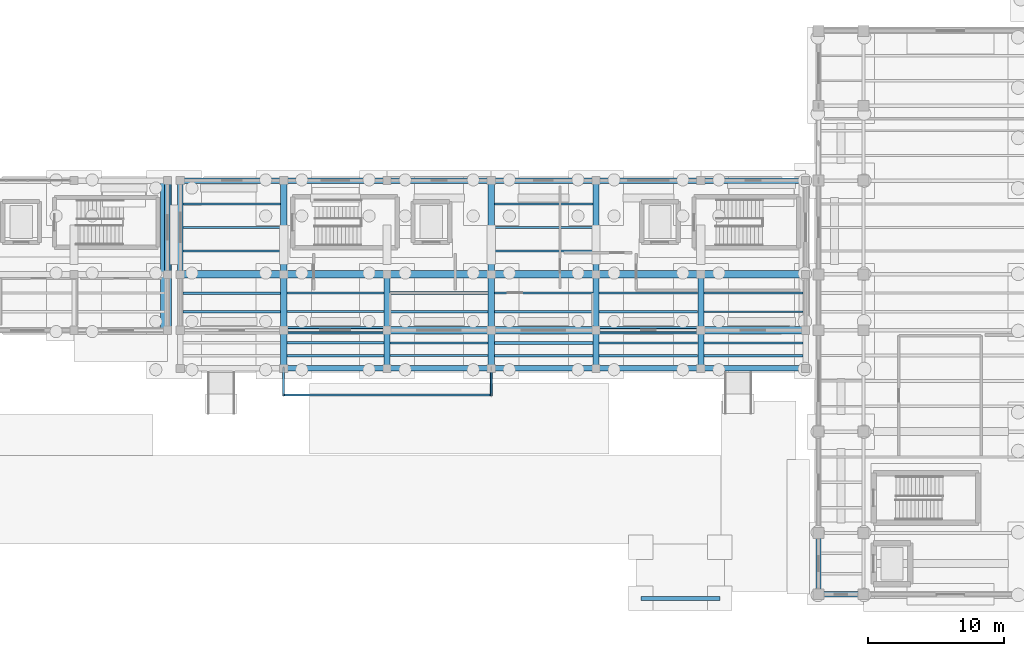
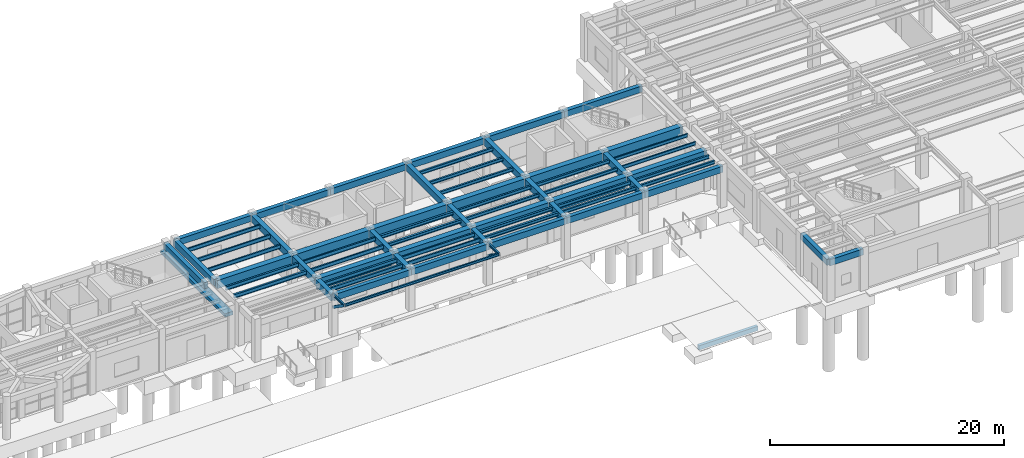
# One storey, part 13 of 41: 74 beams, 2 members.
"""IFC4 building model written with IfcOpenShell, lengths in metres."""

import ifcopenshell
import ifcopenshell.guid

model = None  # the IFC model being written
_history = None  # IfcOwnerHistory: only IFC2X3 demands one
_inside = {}  # id of a spatial element -> (the spatial element, [elements in it])
_under = {}  # id of a project, library or spatial element -> (it, [spatial elements below it])
_declared = {}  # id of a project -> (the project, [libraries it declares])
_typed = {}  # id of a type object -> (the type object, [elements of that type])
_made_of = {}  # id of a material, layer set ... -> (it, [elements and type objects made of it])


def new_model(schema):
    """Start an empty IFC model of exactly this schema.

    Asked for "IFC4X3", IfcOpenShell would pick the latest addendum, in which some entities
    have other attributes; the version numbers below select the first issue.
    IFC2X3 requires an IfcOwnerHistory on every rooted entity: one is made here for all.
    """
    global model, _history
    if schema == "IFC4X3":
        model = ifcopenshell.file(schema_version=(4, 3, 0, 0))
    else:
        model = ifcopenshell.file(schema=schema)
    _inside.clear()
    _under.clear()
    _declared.clear()
    _typed.clear()
    _made_of.clear()
    _history = None
    if model.schema == "IFC2X3":
        org = make("IfcOrganization", Name="unknown")
        user = make(
            "IfcPersonAndOrganization",
            ThePerson=make("IfcPerson", FamilyName="unknown"),
            TheOrganization=org,
        )
        app = make(
            "IfcApplication",
            ApplicationDeveloper=org,
            Version="unknown",
            ApplicationFullName="unknown",
            ApplicationIdentifier="unknown",
        )
        _history = make(
            "IfcOwnerHistory",
            OwningUser=user,
            OwningApplication=app,
            ChangeAction="ADDED",
            CreationDate=0,
        )
    return model


def make(cls, **values):
    """One entity of the class cls with the attributes given. An attribute that is None is left unset."""
    return model.create_entity(
        cls, **{name: value for name, value in values.items() if value is not None}
    )


def rooted(cls, **values):
    """An entity with a GlobalId (a new one), such as an element, a storey or a relation."""
    return make(cls, GlobalId=ifcopenshell.guid.new(), OwnerHistory=_history, **values)


def si_unit(unit_type, name, prefix=None):
    """IfcSIUnit, for example si_unit("LENGTHUNIT", "METRE", prefix="MILLI")."""
    return make("IfcSIUnit", UnitType=unit_type, Prefix=prefix, Name=name)


def assignment(units):
    """IfcUnitAssignment: the units of a project."""
    return None if units is None else make("IfcUnitAssignment", Units=units)


def point(xyz):
    """IfcCartesianPoint."""
    return None if xyz is None else make("IfcCartesianPoint", Coordinates=xyz)


def direction(xyz):
    """IfcDirection."""
    return None if xyz is None else make("IfcDirection", DirectionRatios=xyz)


def frame(location, z_axis=None, x_axis=None):
    """IfcAxis2Placement3D, a coordinate frame: its origin and axes. An axis left out is left unset."""
    return make(
        "IfcAxis2Placement3D",
        Location=point(location),
        Axis=direction(z_axis),
        RefDirection=direction(x_axis),
    )


def frame_2d(location, x_axis=None):
    """IfcAxis2Placement2D, a coordinate frame in the plane: its origin and x axis."""
    return make(
        "IfcAxis2Placement2D", Location=point(location), RefDirection=direction(x_axis)
    )


def origin():
    """The frame at (0, 0, 0) with its axes left unset."""
    return frame((0.0, 0.0, 0.0))


def origin_2d():
    """The frame at (0, 0) in the plane with its x axis left unset."""
    return frame_2d((0.0, 0.0))


def place(relative_to, where):
    """IfcLocalPlacement: puts the frame where relative to a parent placement (None: the world)."""
    return make(
        "IfcLocalPlacement", PlacementRelTo=relative_to, RelativePlacement=where
    )


def context(
    kind, dimensions, precision=None, world=None, true_north=None, identifier=None
):
    """IfcGeometricRepresentationContext, for example the 3D "Model" context."""
    return make(
        "IfcGeometricRepresentationContext",
        ContextIdentifier=identifier,
        ContextType=kind,
        CoordinateSpaceDimension=dimensions,
        Precision=precision,
        WorldCoordinateSystem=world,
        TrueNorth=true_north,
    )


def subcontext(parent, identifier, kind, view, scale=None):
    """IfcGeometricRepresentationSubContext, for example "Body" below "Model"."""
    return make(
        "IfcGeometricRepresentationSubContext",
        ContextIdentifier=identifier,
        ContextType=kind,
        ParentContext=parent,
        TargetScale=scale,
        TargetView=view,
    )


def project(units=None, contexts=None):
    """IfcProject with its units and contexts."""
    return rooted(
        "IfcProject",
        Name="project",
        RepresentationContexts=contexts,
        UnitsInContext=assignment(units),
    )


def spatial(cls, under=None, at=None, **own):
    """A site, building, storey or space (cls), placed at a placement, below another one or the project."""
    s = rooted(cls, ObjectPlacement=at, **own)
    if under is not None:
        _under.setdefault(under.id(), (under, []))[1].append(s)
    return s


def profile(cls, at=None, kind="AREA", **sizes):
    """A parametric profile (cls). Its sizes go by their IFC names, for example OverallWidth=200.0."""
    return make(cls, ProfileType=kind, Position=at, **sizes)


def rectangle(**sizes):
    """IfcRectangleProfileDef."""
    return profile("IfcRectangleProfileDef", **sizes)


def hollow_rectangle(**sizes):
    """IfcRectangleHollowProfileDef."""
    return profile("IfcRectangleHollowProfileDef", **sizes)


def i_section(**sizes):
    """IfcIShapeProfileDef."""
    return profile("IfcIShapeProfileDef", **sizes)


def extrude(swept, where, along, depth):
    """IfcExtrudedAreaSolid: the profile swept, set in the frame where, extruded along a direction by depth."""
    return make(
        "IfcExtrudedAreaSolid",
        SweptArea=swept,
        Position=where,
        ExtrudedDirection=direction(along),
        Depth=depth,
    )


def shape(context_of_items, identifier, shape_type, items):
    """IfcShapeRepresentation: the items that make up one representation, for example the "Body"."""
    return make(
        "IfcShapeRepresentation",
        ContextOfItems=context_of_items,
        RepresentationIdentifier=identifier,
        RepresentationType=shape_type,
        Items=items,
    )


def material(Name=None, Category=None):
    """IfcMaterial."""
    return make("IfcMaterial", Name=Name, Category=Category)


def material_profile(
    of_material, cross_section, Name=None, Category=None, Priority=None
):
    """IfcMaterialProfile: a cross section and its material."""
    return make(
        "IfcMaterialProfile",
        Name=Name,
        Material=of_material,
        Profile=cross_section,
        Priority=Priority,
        Category=Category,
    )


def profile_set(profiles, Name=None, composite=None):
    """IfcMaterialProfileSet."""
    return make(
        "IfcMaterialProfileSet",
        Name=Name,
        MaterialProfiles=profiles,
        CompositeProfile=composite,
    )


def made_of(thing, what):
    """Note that an element or type object is made of a material, layer set ...; save() writes the relation."""
    if what is not None:
        _made_of.setdefault(what.id(), (what, []))[1].append(thing)
    return thing


def type_object(cls, material=None, **own):
    """A type object (cls), such as IfcWallType, which elements share."""
    return made_of(rooted(cls, **own), material)


def element(
    cls,
    number,
    at=None,
    inside=None,
    cuts=None,
    type_object=None,
    material=None,
    context=None,
    identifier="Body",
    shape_type=None,
    held_by="IfcProductDefinitionShape",
    body=None,
    shapes=None,
    **own,
):
    """One element of the class cls, such as IfcWall. Its Tag is "e" and its number.

    at: its placement. inside: the storey or other place that contains it. cuts: it is an
    opening in that element (IfcRelVoidsElement). A single representation is given by context,
    identifier, shape_type and body (its items); several are given by shapes. held_by: the class
    of the entity that holds the representations. save() writes the other relations.
    """
    e = rooted(cls, Tag="e%d" % number, ObjectPlacement=at, **own)
    if body is not None:
        shapes = [shape(context, identifier, shape_type, body)]
    if shapes is not None:
        e.Representation = make(held_by, Representations=shapes)
    if inside is not None:
        _inside.setdefault(inside.id(), (inside, []))[1].append(e)
    if cuts is not None:
        rooted(
            "IfcRelVoidsElement", RelatingBuildingElement=cuts, RelatedOpeningElement=e
        )
    if type_object is not None:
        _typed.setdefault(type_object.id(), (type_object, []))[1].append(e)
    return made_of(e, material)


def aggregate(whole, parts):
    """IfcRelAggregates: a whole, such as a stair, and the parts it consists of."""
    return rooted("IfcRelAggregates", RelatingObject=whole, RelatedObjects=parts)


def save(model, path):
    """Write the relations noted so far, then the file.

    IfcRelAggregates (storeys below a building ...), IfcRelContainedInSpatialStructure (elements
    in a storey), IfcRelDefinesByType, IfcRelAssociatesMaterial and IfcRelDeclares: one each for
    every whole, place, type object, material and project.
    """
    for whole, parts in _under.values():
        aggregate(whole, parts)
    for where, things in _inside.values():
        rooted(
            "IfcRelContainedInSpatialStructure",
            RelatedElements=things,
            RelatingStructure=where,
        )
    for kind, things in _typed.values():
        rooted("IfcRelDefinesByType", RelatedObjects=things, RelatingType=kind)
    for what, things in _made_of.values():
        rooted("IfcRelAssociatesMaterial", RelatedObjects=things, RelatingMaterial=what)
    for by, libraries in _declared.values():
        rooted("IfcRelDeclares", RelatingContext=by, RelatedDefinitions=libraries)
    model.write(path)


model = new_model("IFC4")

# Units and contexts
model_context = context("Model", 3, precision=1e-05, world=origin(), true_north=direction((0.0, 1.0)))
body_context = subcontext(model_context, "Body", "Model", "MODEL_VIEW")
ifc_project = project(units=[si_unit("LENGTHUNIT", "METRE"), si_unit("AREAUNIT", "SQUARE_METRE"), si_unit("VOLUMEUNIT", "CUBIC_METRE"), si_unit("PLANEANGLEUNIT", "RADIAN"), si_unit("MASSUNIT", "GRAM", prefix="KILO")], contexts=[model_context])

# Site, building, storey
site_placement = place(None, origin())
site = spatial("IfcSite", under=ifc_project, at=site_placement, CompositionType="ELEMENT")
building_placement = place(site_placement, origin())
building = spatial("IfcBuilding", under=site, at=building_placement, Name="Candilejo Ridge Gondola Terminal", CompositionType="ELEMENT")
storey_placement = place(building_placement, origin())
storey = spatial("IfcBuildingStorey", under=building, at=storey_placement, Name="L00", CompositionType="ELEMENT", Elevation=0.0)

# Beams
ifc_material_1 = material(Name="Concrete f'c 35 MPa (C35/45)", Category="concrete")
ifc_material_profile_1 = material_profile(ifc_material_1, rectangle(XDim=0.300048828125, YDim=0.449951171875, at=origin_2d()))
ifc_profile_set_1 = profile_set([ifc_material_profile_1], Name="Concrete f'c 35 MPa (C35/45)")
beam_type_1 = type_object("IfcBeamType", Name="STR-BM-RC300X450", PredefinedType="BEAM", material=ifc_profile_set_1)
beam_1_placement = place(storey_placement, frame((120.85009765625, 6.0, -0.2548828125), z_axis=(1.0, 0.0, 0.0), x_axis=(0.0, 1.0, 0.0)))
element("IfcBeam", 1, at=beam_1_placement, inside=storey, type_object=beam_type_1, Name="Walkway edge beam SE-TAB", PredefinedType="BEAM", context=body_context, shape_type="SweptSolid", body=[
    extrude(rectangle(XDim=0.300048828125, YDim=0.449951171875, at=origin_2d()), origin(), (0.0, 0.0, 1.0), 5.7998046875),
])
ifc_material_2 = material(Name="Concrete f'c 35 MPa (C35/45)", Category="concrete")
ifc_material_profile_2 = material_profile(ifc_material_2, rectangle(XDim=0.449951171875, YDim=0.699951171875, at=origin_2d()))
ifc_profile_set_2 = profile_set([ifc_material_profile_2], Name="Concrete f'c 35 MPa (C35/45)")
beam_type_2 = type_object("IfcBeamType", Name="STR-BM-RC450X700", PredefinedType="BEAM", material=ifc_profile_set_2)
beam_2_placement = place(storey_placement, frame((94.60009765625, 22.89990234375, 3.909912109375), z_axis=(0.0, 1.0, 0.0), x_axis=(-1.0, 0.0, 0.0)))
element("IfcBeam", 2, at=beam_2_placement, inside=storey, type_object=beam_type_2, Name="Beam Y V3 L00 Y04-Y05@X15", PredefinedType="BEAM", context=body_context, shape_type="SweptSolid", body=[
    extrude(rectangle(XDim=0.449951171875, YDim=0.699951171875, at=origin_2d()), origin(), (0.0, 0.0, 1.0), 2.800048828125),
])
beam_3_placement = place(storey_placement, frame((94.60009765625, 25.699951171875, 3.909912109375), z_axis=(0.0, 1.0, 0.0), x_axis=(-1.0, 0.0, 0.0)))
element("IfcBeam", 3, at=beam_3_placement, inside=storey, type_object=beam_type_2, Name="Beam Y V3 L00 Y05-Y06@X15", PredefinedType="BEAM", context=body_context, shape_type="SweptSolid", body=[
    extrude(rectangle(XDim=0.449951171875, YDim=0.699951171875, at=origin_2d()), origin(), (0.0, 0.0, 1.0), 4.10009765625),
])
beam_4_placement = place(storey_placement, frame((94.60009765625, 29.800048828125, 3.909912109375), z_axis=(0.0, 1.0, 0.0), x_axis=(-1.0, 0.0, 0.0)))
element("IfcBeam", 4, at=beam_4_placement, inside=storey, type_object=beam_type_2, Name="Beam Y V3 L00 Y06-Y07@X15", PredefinedType="BEAM", context=body_context, shape_type="SweptSolid", body=[
    extrude(rectangle(XDim=0.449951171875, YDim=0.699951171875, at=origin_2d()), origin(), (0.0, 0.0, 1.0), 6.89990234375),
])
beam_5_placement = place(storey_placement, frame((102.199951171875, 22.89990234375, 3.909912109375), z_axis=(0.0, 1.0, 0.0), x_axis=(-1.0, 0.0, 0.0)))
element("IfcBeam", 5, at=beam_5_placement, inside=storey, type_object=beam_type_2, Name="Beam Y V3 L00 Y04-Y05@X16", PredefinedType="BEAM", context=body_context, shape_type="SweptSolid", body=[
    extrude(rectangle(XDim=0.449951171875, YDim=0.699951171875, at=origin_2d()), origin(), (0.0, 0.0, 1.0), 2.800048828125),
])
beam_6_placement = place(storey_placement, frame((102.199951171875, 25.699951171875, 3.909912109375), z_axis=(0.0, 1.0, 0.0), x_axis=(-1.0, 0.0, 0.0)))
element("IfcBeam", 6, at=beam_6_placement, inside=storey, type_object=beam_type_2, Name="Beam Y V3 L00 Y05-Y06@X16", PredefinedType="BEAM", context=body_context, shape_type="SweptSolid", body=[
    extrude(rectangle(XDim=0.449951171875, YDim=0.699951171875, at=origin_2d()), origin(), (0.0, 0.0, 1.0), 4.10009765625),
])
beam_7_placement = place(storey_placement, frame((109.85009765625, 22.89990234375, 3.909912109375), z_axis=(0.0, 1.0, 0.0), x_axis=(-1.0, 0.0, 0.0)))
element("IfcBeam", 7, at=beam_7_placement, inside=storey, type_object=beam_type_2, Name="Beam Y V3 L00 Y04-Y05@X17", PredefinedType="BEAM", context=body_context, shape_type="SweptSolid", body=[
    extrude(rectangle(XDim=0.449951171875, YDim=0.699951171875, at=origin_2d()), origin(), (0.0, 0.0, 1.0), 2.800048828125),
])
beam_8_placement = place(storey_placement, frame((109.85009765625, 25.699951171875, 3.909912109375), z_axis=(0.0, 1.0, 0.0), x_axis=(-1.0, 0.0, 0.0)))
element("IfcBeam", 8, at=beam_8_placement, inside=storey, type_object=beam_type_2, Name="Beam Y V3 L00 Y05-Y06@X17", PredefinedType="BEAM", context=body_context, shape_type="SweptSolid", body=[
    extrude(rectangle(XDim=0.449951171875, YDim=0.699951171875, at=origin_2d()), origin(), (0.0, 0.0, 1.0), 4.10009765625),
])
beam_9_placement = place(storey_placement, frame((109.85009765625, 29.800048828125, 3.909912109375), z_axis=(0.0, 1.0, 0.0), x_axis=(-1.0, 0.0, 0.0)))
element("IfcBeam", 9, at=beam_9_placement, inside=storey, type_object=beam_type_2, Name="Beam Y V3 L00 Y06-Y07@X17", PredefinedType="BEAM", context=body_context, shape_type="SweptSolid", body=[
    extrude(rectangle(XDim=0.449951171875, YDim=0.699951171875, at=origin_2d()), origin(), (0.0, 0.0, 1.0), 6.89990234375),
])
beam_10_placement = place(storey_placement, frame((117.550048828125, 22.89990234375, 3.909912109375), z_axis=(0.0, 1.0, 0.0), x_axis=(-1.0, 0.0, 0.0)))
element("IfcBeam", 10, at=beam_10_placement, inside=storey, type_object=beam_type_2, Name="Beam Y V3 L00 Y04-Y05@X18", PredefinedType="BEAM", context=body_context, shape_type="SweptSolid", body=[
    extrude(rectangle(XDim=0.449951171875, YDim=0.699951171875, at=origin_2d()), origin(), (0.0, 0.0, 1.0), 2.800048828125),
])
beam_11_placement = place(storey_placement, frame((117.550048828125, 25.699951171875, 3.909912109375), z_axis=(0.0, 1.0, 0.0), x_axis=(-1.0, 0.0, 0.0)))
element("IfcBeam", 11, at=beam_11_placement, inside=storey, type_object=beam_type_2, Name="Beam Y V3 L00 Y05-Y06@X18", PredefinedType="BEAM", context=body_context, shape_type="SweptSolid", body=[
    extrude(rectangle(XDim=0.449951171875, YDim=0.699951171875, at=origin_2d()), origin(), (0.0, 0.0, 1.0), 4.10009765625),
])
beam_12_placement = place(storey_placement, frame((117.550048828125, 29.800048828125, 3.909912109375), z_axis=(0.0, 1.0, 0.0), x_axis=(-1.0, 0.0, 0.0)))
element("IfcBeam", 12, at=beam_12_placement, inside=storey, type_object=beam_type_2, Name="Beam Y V3 L00 Y06-Y07@X18", PredefinedType="BEAM", context=body_context, shape_type="SweptSolid", body=[
    extrude(rectangle(XDim=0.449951171875, YDim=0.699951171875, at=origin_2d()), origin(), (0.0, 0.0, 1.0), 6.89990234375),
])
beam_13_placement = place(storey_placement, frame((125.25, 22.89990234375, 3.909912109375), z_axis=(0.0, 1.0, 0.0), x_axis=(-1.0, 0.0, 0.0)))
element("IfcBeam", 13, at=beam_13_placement, inside=storey, type_object=beam_type_2, Name="Beam Y V3 L00 Y04-Y05@X19", PredefinedType="BEAM", context=body_context, shape_type="SweptSolid", body=[
    extrude(rectangle(XDim=0.449951171875, YDim=0.699951171875, at=origin_2d()), origin(), (0.0, 0.0, 1.0), 2.800048828125),
])
beam_14_placement = place(storey_placement, frame((125.25, 25.699951171875, 3.909912109375), z_axis=(0.0, 1.0, 0.0), x_axis=(-1.0, 0.0, 0.0)))
element("IfcBeam", 14, at=beam_14_placement, inside=storey, type_object=beam_type_2, Name="Beam Y V3 L00 Y05-Y06@X19", PredefinedType="BEAM", context=body_context, shape_type="SweptSolid", body=[
    extrude(rectangle(XDim=0.449951171875, YDim=0.699951171875, at=origin_2d()), origin(), (0.0, 0.0, 1.0), 4.10009765625),
])
ifc_material_3 = material(Name="Concrete f'c 35 MPa (C35/45)", Category="concrete")
ifc_material_profile_3 = material_profile(ifc_material_3, rectangle(XDim=0.550048828125, YDim=0.85009765625, at=origin_2d()))
ifc_profile_set_3 = profile_set([ifc_material_profile_3], Name="Concrete f'c 35 MPa (C35/45)")
beam_type_3 = type_object("IfcBeamType", Name="STR-BM-RC550X850", PredefinedType="BEAM", material=ifc_profile_set_3)
beam_15_placement = place(storey_placement, frame((94.60009765625, 25.699951171875, 3.8349609375), z_axis=(1.0, 0.0, 0.0), x_axis=(0.0, 1.0, 0.0)))
element("IfcBeam", 15, at=beam_15_placement, inside=storey, type_object=beam_type_3, Name="Beam X V3 L00 X15-X16@Y05", PredefinedType="BEAM", context=body_context, shape_type="SweptSolid", body=[
    extrude(rectangle(XDim=0.550048828125, YDim=0.85009765625, at=origin_2d()), origin(), (0.0, 0.0, 1.0), 7.599853515625),
])
beam_16_placement = place(storey_placement, frame((102.199951171875, 25.699951171875, 3.8349609375), z_axis=(1.0, 0.0, 0.0), x_axis=(0.0, 1.0, 0.0)))
element("IfcBeam", 16, at=beam_16_placement, inside=storey, type_object=beam_type_3, Name="Beam X V3 L00 X16-X17@Y05", PredefinedType="BEAM", context=body_context, shape_type="SweptSolid", body=[
    extrude(rectangle(XDim=0.550048828125, YDim=0.85009765625, at=origin_2d()), origin(), (0.0, 0.0, 1.0), 7.650146484375),
])
for number, where, z_axis, x_axis, name in (
    (17, (109.85009765625, 25.699951171875, 3.8349609375), (1.0, 0.0, 0.0), (0.0, 1.0, 0.0), "Beam X V3 L00 X17-X18@Y05"),
    (18, (117.550048828125, 25.699951171875, 3.8349609375), (1.0, 0.0, 0.0), (0.0, 1.0, 0.0), "Beam X V3 L00 X18-X19@Y05"),
    (19, (125.25, 25.699951171875, 3.8349609375), (1.0, 0.0, 0.0), (0.0, 1.0, 0.0), "Beam X V3 L00 X19-X20@Y05"),
):
    element("IfcBeam", number, at=place(storey_placement, frame(where, z_axis=z_axis, x_axis=x_axis)), inside=storey, type_object=beam_type_3, Name=name, PredefinedType="BEAM", context=body_context, shape_type="SweptSolid", body=[
        extrude(rectangle(XDim=0.550048828125, YDim=0.85009765625, at=origin_2d()), origin(), (0.0, 0.0, 1.0), 7.699951171875),
    ])
beam_17_placement = place(storey_placement, frame((87.0, 29.800048828125, 3.8349609375), z_axis=(1.0, 0.0, 0.0), x_axis=(0.0, 1.0, 0.0)))
element("IfcBeam", 20, at=beam_17_placement, inside=storey, type_object=beam_type_3, Name="Beam X V3 L00 X14-X15@Y06", PredefinedType="BEAM", context=body_context, shape_type="SweptSolid", body=[
    extrude(rectangle(XDim=0.550048828125, YDim=0.85009765625, at=origin_2d()), origin(), (0.0, 0.0, 1.0), 7.60009765625),
])
beam_18_placement = place(storey_placement, frame((94.60009765625, 29.800048828125, 3.8349609375), z_axis=(1.0, 0.0, 0.0), x_axis=(0.0, 1.0, 0.0)))
element("IfcBeam", 21, at=beam_18_placement, inside=storey, type_object=beam_type_3, Name="Beam X V3 L00 X15-X16@Y06", PredefinedType="BEAM", context=body_context, shape_type="SweptSolid", body=[
    extrude(rectangle(XDim=0.550048828125, YDim=0.85009765625, at=origin_2d()), origin(), (0.0, 0.0, 1.0), 7.599853515625),
])
beam_19_placement = place(storey_placement, frame((102.199951171875, 29.800048828125, 3.8349609375), z_axis=(1.0, 0.0, 0.0), x_axis=(0.0, 1.0, 0.0)))
element("IfcBeam", 22, at=beam_19_placement, inside=storey, type_object=beam_type_3, Name="Beam X V3 L00 X16-X17@Y06", PredefinedType="BEAM", context=body_context, shape_type="SweptSolid", body=[
    extrude(rectangle(XDim=0.550048828125, YDim=0.85009765625, at=origin_2d()), origin(), (0.0, 0.0, 1.0), 7.650146484375),
])
for number, where, z_axis, x_axis, name in (
    (23, (109.85009765625, 29.800048828125, 3.8349609375), (1.0, 0.0, 0.0), (0.0, 1.0, 0.0), "Beam X V3 L00 X17-X18@Y06"),
    (24, (117.550048828125, 29.800048828125, 3.8349609375), (1.0, 0.0, 0.0), (0.0, 1.0, 0.0), "Beam X V3 L00 X18-X19@Y06"),
    (25, (125.25, 29.800048828125, 3.8349609375), (1.0, 0.0, 0.0), (0.0, 1.0, 0.0), "Beam X V3 L00 X19-X20@Y06"),
):
    element("IfcBeam", number, at=place(storey_placement, frame(where, z_axis=z_axis, x_axis=x_axis)), inside=storey, type_object=beam_type_3, Name=name, PredefinedType="BEAM", context=body_context, shape_type="SweptSolid", body=[
        extrude(rectangle(XDim=0.550048828125, YDim=0.85009765625, at=origin_2d()), origin(), (0.0, 0.0, 1.0), 7.699951171875),
    ])
ifc_material_4 = material(Name="Concrete f'c 35 MPa (C35/45)", Category="concrete")
ifc_material_profile_4 = material_profile(ifc_material_4, rectangle(XDim=0.800048828125, YDim=0.35009765625, at=origin_2d()))
ifc_profile_set_4 = profile_set([ifc_material_profile_4], Name="Concrete f'c 35 MPa (C35/45)")
beam_type_4 = type_object("IfcBeamType", Name="STR-CRB-RC800X350", PredefinedType="SPANDREL", material=ifc_profile_set_4)
beam_20_placement = place(storey_placement, frame((85.949951171875, 25.699951171875, 3.43505859375), z_axis=(0.0, 1.0, 0.0), x_axis=(-1.0, 0.0, 0.0)))
element("IfcBeam", 26, at=beam_20_placement, inside=storey, type_object=beam_type_4, Name="Seismic bridge 800 mm RC corbel seat LB-SJ2-L01", PredefinedType="SPANDREL", context=body_context, shape_type="SweptSolid", body=[
    extrude(rectangle(XDim=0.800048828125, YDim=0.35009765625, at=origin_2d()), origin(), (0.0, 0.0, 1.0), 11.0),
])
ifc_material_5 = material(Name="Steel ASTM A992 Grade 50", Category="steel")
ifc_material_profile_5 = material_profile(ifc_material_5, i_section(OverallWidth=0.14599609375, OverallDepth=0.258056640625, WebThickness=0.006103515625, FlangeThickness=0.009033203125, at=origin_2d()))
ifc_profile_set_5 = profile_set([ifc_material_profile_5], Name="Steel ASTM A992 Grade 50")
beam_type_5 = type_object("IfcBeamType", Name="STR-JST-W250X33", PredefinedType="JOIST", material=ifc_profile_set_5)
beam_21_placement = place(storey_placement, frame((94.60009765625, 20.949951171875, 4.220947265625), z_axis=(1.0, 0.0, 0.0), x_axis=(0.0, 1.0, 0.0)))
element("IfcBeam", 27, at=beam_21_placement, inside=storey, type_object=beam_type_5, Name="Canopy edge beam CN-V3-LOAD", PredefinedType="JOIST", context=body_context, shape_type="SweptSolid", body=[
    extrude(i_section(OverallWidth=0.14599609375, OverallDepth=0.258056640625, WebThickness=0.006103515625, FlangeThickness=0.009033203125, at=origin_2d()), origin(), (0.0, 0.0, 1.0), 15.25),
])
for number, where, z_axis, x_axis, name in (
    (28, (94.60009765625, 20.949951171875, 4.220947265625), (0.0, 1.0, 0.0), (-1.0, 0.0, 0.0), "Canopy bracket arm CN-V3-LOAD-1"),
    (29, (109.85009765625, 20.949951171875, 4.220947265625), (0.0, 1.0, 0.0), (-1.0, 0.0, 0.0), "Canopy bracket arm CN-V3-LOAD-2"),
):
    element("IfcBeam", number, at=place(storey_placement, frame(where, z_axis=z_axis, x_axis=x_axis)), inside=storey, type_object=beam_type_5, Name=name, PredefinedType="JOIST", context=body_context, shape_type="SweptSolid", body=[
        extrude(i_section(OverallWidth=0.14599609375, OverallDepth=0.258056640625, WebThickness=0.006103515625, FlangeThickness=0.009033203125, at=origin_2d()), origin(), (0.0, 0.0, 1.0), 1.949951171875),
    ])
ifc_material_6 = material(Name="Steel ASTM A992 Grade 50", Category="steel")
ifc_material_profile_6 = material_profile(ifc_material_6, i_section(OverallWidth=0.1279296875, OverallDepth=0.35302734375, WebThickness=0.006591796875, FlangeThickness=0.0107421875, at=origin_2d()))
ifc_profile_set_6 = profile_set([ifc_material_profile_6], Name="Steel ASTM A992 Grade 50")
beam_type_6 = type_object("IfcBeamType", Name="STR-JST-W360X39", PredefinedType="JOIST", material=ifc_profile_set_6)
for number, where, z_axis, x_axis, name in (
    (30, (125.47509765625, 27.066650390625, 4.08349609375), (1.0, 0.0, 0.0), (0.0, 1.0, 0.0), "Composite joist V3 L00-0434"),
    (31, (125.47509765625, 28.433349609375, 4.08349609375), (1.0, 0.0, 0.0), (0.0, 1.0, 0.0), "Composite joist V3 L00-0435"),
):
    element("IfcBeam", number, at=place(storey_placement, frame(where, z_axis=z_axis, x_axis=x_axis)), inside=storey, type_object=beam_type_6, Name=name, PredefinedType="JOIST", context=body_context, shape_type="SweptSolid", body=[
        extrude(i_section(OverallWidth=0.1279296875, OverallDepth=0.35302734375, WebThickness=0.006591796875, FlangeThickness=0.0107421875, at=origin_2d()), origin(), (0.0, 0.0, 1.0), 7.27490234375),
    ])
ifc_material_7 = material(Name="Steel ASTM A992 Grade 50", Category="steel")
ifc_material_profile_7 = material_profile(ifc_material_7, i_section(OverallWidth=0.1708984375, OverallDepth=0.35205078125, WebThickness=0.0068359375, FlangeThickness=0.009765625, at=origin_2d()))
ifc_profile_set_7 = profile_set([ifc_material_profile_7], Name="Steel ASTM A992 Grade 50")
beam_type_7 = type_object("IfcBeamType", Name="STR-JST-W360X44", PredefinedType="JOIST", material=ifc_profile_set_7)
for number, where, z_axis, x_axis, name in (
    (32, (110.074951171875, 31.52490234375, 4.083984375), (1.0, 0.0, 0.0), (0.0, 1.0, 0.0), "Composite joist V3 L00-0425"),
    (33, (110.074951171875, 33.25, 4.083984375), (1.0, 0.0, 0.0), (0.0, 1.0, 0.0), "Composite joist V3 L00-0426"),
    (34, (110.074951171875, 34.97509765625, 4.083984375), (1.0, 0.0, 0.0), (0.0, 1.0, 0.0), "Composite joist V3 L00-0427"),
    (35, (117.77490234375, 27.066650390625, 4.083984375), (1.0, 0.0, 0.0), (0.0, 1.0, 0.0), "Composite joist V3 L00-0430"),
    (36, (117.77490234375, 28.433349609375, 4.083984375), (1.0, 0.0, 0.0), (0.0, 1.0, 0.0), "Composite joist V3 L00-0431"),
):
    element("IfcBeam", number, at=place(storey_placement, frame(where, z_axis=z_axis, x_axis=x_axis)), inside=storey, type_object=beam_type_7, Name=name, PredefinedType="JOIST", context=body_context, shape_type="SweptSolid", body=[
        extrude(i_section(OverallWidth=0.1708984375, OverallDepth=0.35205078125, WebThickness=0.0068359375, FlangeThickness=0.009765625, at=origin_2d()), origin(), (0.0, 0.0, 1.0), 7.25),
    ])
for number, where, z_axis, x_axis, name in (
    (37, (125.47509765625, 23.833251953125, 4.083984375), (1.0, 0.0, 0.0), (0.0, 1.0, 0.0), "Composite joist V3 L00-0432"),
    (38, (125.47509765625, 24.7666015625, 4.083984375), (1.0, 0.0, 0.0), (0.0, 1.0, 0.0), "Composite joist V3 L00-0433"),
):
    element("IfcBeam", number, at=place(storey_placement, frame(where, z_axis=z_axis, x_axis=x_axis)), inside=storey, type_object=beam_type_7, Name=name, PredefinedType="JOIST", context=body_context, shape_type="SweptSolid", body=[
        extrude(i_section(OverallWidth=0.1708984375, OverallDepth=0.35205078125, WebThickness=0.0068359375, FlangeThickness=0.009765625, at=origin_2d()), origin(), (0.0, 0.0, 1.0), 7.27490234375),
    ])
ifc_material_8 = material(Name="Steel ASTM A992 Grade 50", Category="steel")
ifc_material_profile_8 = material_profile(ifc_material_8, i_section(OverallWidth=0.1708984375, OverallDepth=0.35498046875, WebThickness=0.007080078125, FlangeThickness=0.01171875, at=origin_2d()))
ifc_profile_set_8 = profile_set([ifc_material_profile_8], Name="Steel ASTM A992 Grade 50")
beam_type_8 = type_object("IfcBeamType", Name="STR-JST-W360X51", PredefinedType="JOIST", material=ifc_profile_set_8)
for number, where, z_axis, x_axis, name in (
    (39, (110.074951171875, 27.066650390625, 4.08251953125), (1.0, 0.0, 0.0), (0.0, 1.0, 0.0), "Composite joist V3 L00-0423"),
    (40, (110.074951171875, 28.433349609375, 4.08251953125), (1.0, 0.0, 0.0), (0.0, 1.0, 0.0), "Composite joist V3 L00-0424"),
    (41, (117.77490234375, 23.833251953125, 4.08251953125), (1.0, 0.0, 0.0), (0.0, 1.0, 0.0), "Composite joist V3 L00-0428"),
    (42, (117.77490234375, 24.7666015625, 4.08251953125), (1.0, 0.0, 0.0), (0.0, 1.0, 0.0), "Composite joist V3 L00-0429"),
):
    element("IfcBeam", number, at=place(storey_placement, frame(where, z_axis=z_axis, x_axis=x_axis)), inside=storey, type_object=beam_type_8, Name=name, PredefinedType="JOIST", context=body_context, shape_type="SweptSolid", body=[
        extrude(i_section(OverallWidth=0.1708984375, OverallDepth=0.35498046875, WebThickness=0.007080078125, FlangeThickness=0.01171875, at=origin_2d()), origin(), (0.0, 0.0, 1.0), 7.25),
    ])
ifc_material_9 = material(Name="Steel ASTM A992 Grade 50", Category="steel")
ifc_material_profile_9 = material_profile(ifc_material_9, i_section(OverallWidth=0.205078125, OverallDepth=0.35400390625, WebThickness=0.009521484375, FlangeThickness=0.016845703125, at=origin_2d()))
ifc_profile_set_9 = profile_set([ifc_material_profile_9], Name="Steel ASTM A992 Grade 50")
beam_type_9 = type_object("IfcBeamType", Name="STR-JST-W360X79", PredefinedType="JOIST", material=ifc_profile_set_9)
for number, where, z_axis, x_axis, name in (
    (43, (102.425048828125, 27.066650390625, 4.0830078125), (1.0, 0.0, 0.0), (0.0, 1.0, 0.0), "Composite joist V3 L00-0419"),
    (44, (102.425048828125, 28.433349609375, 4.0830078125), (1.0, 0.0, 0.0), (0.0, 1.0, 0.0), "Composite joist V3 L00-0420"),
):
    element("IfcBeam", number, at=place(storey_placement, frame(where, z_axis=z_axis, x_axis=x_axis)), inside=storey, type_object=beam_type_9, Name=name, PredefinedType="JOIST", context=body_context, shape_type="SweptSolid", body=[
        extrude(i_section(OverallWidth=0.205078125, OverallDepth=0.35400390625, WebThickness=0.009521484375, FlangeThickness=0.016845703125, at=origin_2d()), origin(), (0.0, 0.0, 1.0), 7.199951171875),
    ])
for number, where, z_axis, x_axis, name in (
    (45, (110.074951171875, 23.833251953125, 4.0830078125), (1.0, 0.0, 0.0), (0.0, 1.0, 0.0), "Composite joist V3 L00-0421"),
    (46, (110.074951171875, 24.7666015625, 4.0830078125), (1.0, 0.0, 0.0), (0.0, 1.0, 0.0), "Composite joist V3 L00-0422"),
):
    element("IfcBeam", number, at=place(storey_placement, frame(where, z_axis=z_axis, x_axis=x_axis)), inside=storey, type_object=beam_type_9, Name=name, PredefinedType="JOIST", context=body_context, shape_type="SweptSolid", body=[
        extrude(i_section(OverallWidth=0.205078125, OverallDepth=0.35400390625, WebThickness=0.009521484375, FlangeThickness=0.016845703125, at=origin_2d()), origin(), (0.0, 0.0, 1.0), 7.25),
    ])
ifc_material_10 = material(Name="Steel ASTM A992 Grade 50", Category="steel")
ifc_material_profile_10 = material_profile(ifc_material_10, i_section(OverallWidth=0.139892578125, OverallDepth=0.403076171875, WebThickness=0.007080078125, FlangeThickness=0.01123046875, at=origin_2d()))
ifc_profile_set_10 = profile_set([ifc_material_profile_10], Name="Steel ASTM A992 Grade 50")
beam_type_10 = type_object("IfcBeamType", Name="STR-JST-W410X46", PredefinedType="JOIST", material=ifc_profile_set_10)
for number, where, z_axis, x_axis, name in (
    (47, (87.199951171875, 31.52490234375, 4.05859375), (1.0, 0.0, 0.0), (0.0, 1.0, 0.0), "Composite joist V3 L00-0410"),
    (48, (87.199951171875, 33.25, 4.05859375), (1.0, 0.0, 0.0), (0.0, 1.0, 0.0), "Composite joist V3 L00-0411"),
    (49, (87.199951171875, 34.97509765625, 4.05859375), (1.0, 0.0, 0.0), (0.0, 1.0, 0.0), "Composite joist V3 L00-0412"),
):
    element("IfcBeam", number, at=place(storey_placement, frame(where, z_axis=z_axis, x_axis=x_axis)), inside=storey, type_object=beam_type_10, Name=name, PredefinedType="JOIST", context=body_context, shape_type="SweptSolid", body=[
        extrude(i_section(OverallWidth=0.139892578125, OverallDepth=0.403076171875, WebThickness=0.007080078125, FlangeThickness=0.01123046875, at=origin_2d()), origin(), (0.0, 0.0, 1.0), 7.175048828125),
    ])
for number, where, z_axis, x_axis, name in (
    (50, (94.824951171875, 27.066650390625, 4.05859375), (1.0, 0.0, 0.0), (0.0, 1.0, 0.0), "Composite joist V3 L00-0415"),
    (51, (94.824951171875, 28.433349609375, 4.05859375), (1.0, 0.0, 0.0), (0.0, 1.0, 0.0), "Composite joist V3 L00-0416"),
):
    element("IfcBeam", number, at=place(storey_placement, frame(where, z_axis=z_axis, x_axis=x_axis)), inside=storey, type_object=beam_type_10, Name=name, PredefinedType="JOIST", context=body_context, shape_type="SweptSolid", body=[
        extrude(i_section(OverallWidth=0.139892578125, OverallDepth=0.403076171875, WebThickness=0.007080078125, FlangeThickness=0.01123046875, at=origin_2d()), origin(), (0.0, 0.0, 1.0), 7.150146484375),
    ])
for number, where, z_axis, x_axis, name in (
    (52, (102.425048828125, 23.833251953125, 4.05859375), (1.0, 0.0, 0.0), (0.0, 1.0, 0.0), "Composite joist V3 L00-0417"),
    (53, (102.425048828125, 24.7666015625, 4.05859375), (1.0, 0.0, 0.0), (0.0, 1.0, 0.0), "Composite joist V3 L00-0418"),
):
    element("IfcBeam", number, at=place(storey_placement, frame(where, z_axis=z_axis, x_axis=x_axis)), inside=storey, type_object=beam_type_10, Name=name, PredefinedType="JOIST", context=body_context, shape_type="SweptSolid", body=[
        extrude(i_section(OverallWidth=0.139892578125, OverallDepth=0.403076171875, WebThickness=0.007080078125, FlangeThickness=0.01123046875, at=origin_2d()), origin(), (0.0, 0.0, 1.0), 7.199951171875),
    ])
ifc_material_11 = material(Name="Steel ASTM A992 Grade 50", Category="steel")
ifc_material_profile_11 = material_profile(ifc_material_11, i_section(OverallWidth=0.177978515625, OverallDepth=0.406982421875, WebThickness=0.0078125, FlangeThickness=0.0126953125, at=origin_2d()))
ifc_profile_set_11 = profile_set([ifc_material_profile_11], Name="Steel ASTM A992 Grade 50")
beam_type_11 = type_object("IfcBeamType", Name="STR-JST-W410X60", PredefinedType="JOIST", material=ifc_profile_set_11)
for number, where, z_axis, x_axis, name in (
    (54, (87.199951171875, 27.066650390625, 4.056396484375), (1.0, 0.0, 0.0), (0.0, 1.0, 0.0), "Composite joist V3 L00-0408"),
    (55, (87.199951171875, 28.433349609375, 4.056396484375), (1.0, 0.0, 0.0), (0.0, 1.0, 0.0), "Composite joist V3 L00-0409"),
):
    element("IfcBeam", number, at=place(storey_placement, frame(where, z_axis=z_axis, x_axis=x_axis)), inside=storey, type_object=beam_type_11, Name=name, PredefinedType="JOIST", context=body_context, shape_type="SweptSolid", body=[
        extrude(i_section(OverallWidth=0.177978515625, OverallDepth=0.406982421875, WebThickness=0.0078125, FlangeThickness=0.0126953125, at=origin_2d()), origin(), (0.0, 0.0, 1.0), 7.175048828125),
    ])
for number, where, z_axis, x_axis, name in (
    (56, (94.824951171875, 23.833251953125, 4.056396484375), (1.0, 0.0, 0.0), (0.0, 1.0, 0.0), "Composite joist V3 L00-0413"),
    (57, (94.824951171875, 24.7666015625, 4.056396484375), (1.0, 0.0, 0.0), (0.0, 1.0, 0.0), "Composite joist V3 L00-0414"),
):
    element("IfcBeam", number, at=place(storey_placement, frame(where, z_axis=z_axis, x_axis=x_axis)), inside=storey, type_object=beam_type_11, Name=name, PredefinedType="JOIST", context=body_context, shape_type="SweptSolid", body=[
        extrude(i_section(OverallWidth=0.177978515625, OverallDepth=0.406982421875, WebThickness=0.0078125, FlangeThickness=0.0126953125, at=origin_2d()), origin(), (0.0, 0.0, 1.0), 7.150146484375),
    ])
ifc_material_12 = material(Name="Concrete f'c 35 MPa (C35/45)", Category="concrete")
ifc_material_profile_12 = material_profile(ifc_material_12, rectangle(XDim=0.25, YDim=0.35009765625, at=origin_2d()))
ifc_profile_set_12 = profile_set([ifc_material_profile_12], Name="Concrete f'c 35 MPa (C35/45)")
beam_type_12 = type_object("IfcBeamType", Name="STR-LNT-RC250X350", PredefinedType="LINTEL", material=ifc_profile_set_12)
beam_22_placement = place(storey_placement, frame((94.60009765625, 25.699951171875, 3.179931640625), z_axis=(1.0, 0.0, 0.0), x_axis=(0.0, 1.0, 0.0)))
element("IfcBeam", 58, at=beam_22_placement, inside=storey, type_object=beam_type_12, Name="Opening lintel L00-09", PredefinedType="LINTEL", context=body_context, shape_type="SweptSolid", body=[
    extrude(rectangle(XDim=0.25, YDim=0.35009765625, at=origin_2d()), origin(), (0.0, 0.0, 1.0), 7.599853515625),
])
beam_23_placement = place(storey_placement, frame((117.550048828125, 25.699951171875, 3.179931640625), z_axis=(1.0, 0.0, 0.0), x_axis=(0.0, 1.0, 0.0)))
element("IfcBeam", 59, at=beam_23_placement, inside=storey, type_object=beam_type_12, Name="Opening lintel L00-10", PredefinedType="LINTEL", context=body_context, shape_type="SweptSolid", body=[
    extrude(rectangle(XDim=0.25, YDim=0.35009765625, at=origin_2d()), origin(), (0.0, 0.0, 1.0), 7.699951171875),
])
ifc_material_13 = material(Name="Concrete f'c 35 MPa (C35/45)", Category="concrete")
ifc_material_profile_13 = material_profile(ifc_material_13, rectangle(XDim=0.39990234375, YDim=0.64990234375, at=origin_2d()))
ifc_profile_set_13 = profile_set([ifc_material_profile_13], Name="Concrete f'c 35 MPa (C35/45)")
beam_type_13 = type_object("IfcBeamType", Name="STR-SPN-RC400X650", PredefinedType="SPANDREL", material=ifc_profile_set_13)
beam_24_placement = place(storey_placement, frame((86.050048828125, 29.800048828125, 3.93505859375), z_axis=(0.0, 1.0, 0.0), x_axis=(-1.0, 0.0, 0.0)))
element("IfcBeam", 60, at=beam_24_placement, inside=storey, type_object=beam_type_13, Name="Beam Y V2 L00 Y06-Y07@X13", PredefinedType="SPANDREL", context=body_context, shape_type="SweptSolid", body=[
    extrude(rectangle(XDim=0.39990234375, YDim=0.64990234375, at=origin_2d()), origin(), (0.0, 0.0, 1.0), 6.89990234375),
])
beam_25_placement = place(storey_placement, frame((94.60009765625, 22.89990234375, 3.93505859375), z_axis=(1.0, 0.0, 0.0), x_axis=(0.0, 1.0, 0.0)))
element("IfcBeam", 61, at=beam_25_placement, inside=storey, type_object=beam_type_13, Name="Beam X V3 L00 X15-X16@Y04", PredefinedType="SPANDREL", context=body_context, shape_type="SweptSolid", body=[
    extrude(rectangle(XDim=0.39990234375, YDim=0.64990234375, at=origin_2d()), origin(), (0.0, 0.0, 1.0), 7.599853515625),
])
beam_26_placement = place(storey_placement, frame((102.199951171875, 22.89990234375, 3.93505859375), z_axis=(1.0, 0.0, 0.0), x_axis=(0.0, 1.0, 0.0)))
element("IfcBeam", 62, at=beam_26_placement, inside=storey, type_object=beam_type_13, Name="Beam X V3 L00 X16-X17@Y04", PredefinedType="SPANDREL", context=body_context, shape_type="SweptSolid", body=[
    extrude(rectangle(XDim=0.39990234375, YDim=0.64990234375, at=origin_2d()), origin(), (0.0, 0.0, 1.0), 7.650146484375),
])
for number, where, z_axis, x_axis, name in (
    (63, (109.85009765625, 22.89990234375, 3.93505859375), (1.0, 0.0, 0.0), (0.0, 1.0, 0.0), "Beam X V3 L00 X17-X18@Y04"),
    (64, (117.550048828125, 22.89990234375, 3.93505859375), (1.0, 0.0, 0.0), (0.0, 1.0, 0.0), "Beam X V3 L00 X18-X19@Y04"),
    (65, (125.25, 22.89990234375, 3.93505859375), (1.0, 0.0, 0.0), (0.0, 1.0, 0.0), "Beam X V3 L00 X19-X20@Y04"),
):
    element("IfcBeam", number, at=place(storey_placement, frame(where, z_axis=z_axis, x_axis=x_axis)), inside=storey, type_object=beam_type_13, Name=name, PredefinedType="SPANDREL", context=body_context, shape_type="SweptSolid", body=[
        extrude(rectangle(XDim=0.39990234375, YDim=0.64990234375, at=origin_2d()), origin(), (0.0, 0.0, 1.0), 7.699951171875),
    ])
beam_27_placement = place(storey_placement, frame((87.0, 36.699951171875, 3.93505859375), z_axis=(1.0, 0.0, 0.0), x_axis=(0.0, 1.0, 0.0)))
element("IfcBeam", 66, at=beam_27_placement, inside=storey, type_object=beam_type_13, Name="Beam X V3 L00 X14-X15@Y07", PredefinedType="SPANDREL", context=body_context, shape_type="SweptSolid", body=[
    extrude(rectangle(XDim=0.39990234375, YDim=0.64990234375, at=origin_2d()), origin(), (0.0, 0.0, 1.0), 7.60009765625),
])
beam_28_placement = place(storey_placement, frame((94.60009765625, 36.699951171875, 3.93505859375), z_axis=(1.0, 0.0, 0.0), x_axis=(0.0, 1.0, 0.0)))
element("IfcBeam", 67, at=beam_28_placement, inside=storey, type_object=beam_type_13, Name="Beam X V3 L00 X15-X16@Y07", PredefinedType="SPANDREL", context=body_context, shape_type="SweptSolid", body=[
    extrude(rectangle(XDim=0.39990234375, YDim=0.64990234375, at=origin_2d()), origin(), (0.0, 0.0, 1.0), 7.599853515625),
])
beam_29_placement = place(storey_placement, frame((102.199951171875, 36.699951171875, 3.93505859375), z_axis=(1.0, 0.0, 0.0), x_axis=(0.0, 1.0, 0.0)))
element("IfcBeam", 68, at=beam_29_placement, inside=storey, type_object=beam_type_13, Name="Beam X V3 L00 X16-X17@Y07", PredefinedType="SPANDREL", context=body_context, shape_type="SweptSolid", body=[
    extrude(rectangle(XDim=0.39990234375, YDim=0.64990234375, at=origin_2d()), origin(), (0.0, 0.0, 1.0), 7.650146484375),
])
for number, where, z_axis, x_axis, name in (
    (69, (109.85009765625, 36.699951171875, 3.93505859375), (1.0, 0.0, 0.0), (0.0, 1.0, 0.0), "Beam X V3 L00 X17-X18@Y07"),
    (70, (117.550048828125, 36.699951171875, 3.93505859375), (1.0, 0.0, 0.0), (0.0, 1.0, 0.0), "Beam X V3 L00 X18-X19@Y07"),
    (71, (125.25, 36.699951171875, 3.93505859375), (1.0, 0.0, 0.0), (0.0, 1.0, 0.0), "Beam X V3 L00 X19-X20@Y07"),
):
    element("IfcBeam", number, at=place(storey_placement, frame(where, z_axis=z_axis, x_axis=x_axis)), inside=storey, type_object=beam_type_13, Name=name, PredefinedType="SPANDREL", context=body_context, shape_type="SweptSolid", body=[
        extrude(rectangle(XDim=0.39990234375, YDim=0.64990234375, at=origin_2d()), origin(), (0.0, 0.0, 1.0), 7.699951171875),
    ])
beam_30_placement = place(storey_placement, frame((87.0, 29.800048828125, 3.93505859375), z_axis=(0.0, 1.0, 0.0), x_axis=(-1.0, 0.0, 0.0)))
element("IfcBeam", 72, at=beam_30_placement, inside=storey, type_object=beam_type_13, Name="Beam Y V3 L00 Y06-Y07@X14", PredefinedType="SPANDREL", context=body_context, shape_type="SweptSolid", body=[
    extrude(rectangle(XDim=0.39990234375, YDim=0.64990234375, at=origin_2d()), origin(), (0.0, 0.0, 1.0), 6.89990234375),
])
beam_31_placement = place(storey_placement, frame((133.89990234375, 6.300048828125, 3.889892578125), z_axis=(1.0, 0.0, 0.0), x_axis=(0.0, 1.0, 0.0)))
element("IfcBeam", 73, at=beam_31_placement, inside=storey, type_object=beam_type_13, Name="Beam X V4 L00 X21-X22@Y01", PredefinedType="SPANDREL", context=body_context, shape_type="SweptSolid", body=[
    extrude(rectangle(XDim=0.39990234375, YDim=0.64990234375, at=origin_2d()), origin(), (0.0, 0.0, 1.0), 3.300048828125),
])
beam_32_placement = place(storey_placement, frame((133.89990234375, 6.300048828125, 3.889892578125), z_axis=(0.0, 1.0, 0.0), x_axis=(-1.0, 0.0, 0.0)))
element("IfcBeam", 74, at=beam_32_placement, inside=storey, type_object=beam_type_13, Name="Beam Y V4 L00 Y01-Y02@X21", PredefinedType="SPANDREL", context=body_context, shape_type="SweptSolid", body=[
    extrude(rectangle(XDim=0.39990234375, YDim=0.64990234375, at=origin_2d()), origin(), (0.0, 0.0, 1.0), 4.5),
])

# Members
ifc_material_14 = material(Name="Steel ASTM A500 Grade C", Category="steel")
ifc_material_profile_14 = material_profile(ifc_material_14, hollow_rectangle(XDim=0.14990234375, YDim=0.25, WallThickness=0.008056640625, at=origin_2d()))
ifc_profile_set_14 = profile_set([ifc_material_profile_14], Name="Steel ASTM A500 Grade C")
member_type = type_object("IfcMemberType", Name="STR-STR-HSS250X150", PredefinedType="STRUT", material=ifc_profile_set_14)
for number, where, z_axis, x_axis, name in (
    (75, (94.60009765625, 22.89990234375, 2.87109375), (0.0, -0.822214426939, 0.569177859841), (1.0, 0.0, 0.0), "Canopy raking strut CN-V3-LOAD-1"),
    (76, (109.85009765625, 22.89990234375, 2.87109375), (0.0, -0.822214426939, 0.569177859841), (1.0, 0.0, 0.0), "Canopy raking strut CN-V3-LOAD-2"),
):
    element("IfcMember", number, at=place(storey_placement, frame(where, z_axis=z_axis, x_axis=x_axis)), inside=storey, type_object=member_type, Name=name, PredefinedType="STRUT", context=body_context, shape_type="SweptSolid", body=[
        extrude(hollow_rectangle(XDim=0.14990234375, YDim=0.25, WallThickness=0.008056640625, at=origin_2d()), origin(), (0.0, 0.0, 1.0), 2.37158203125),
    ])

save(model, "model.ifc")
